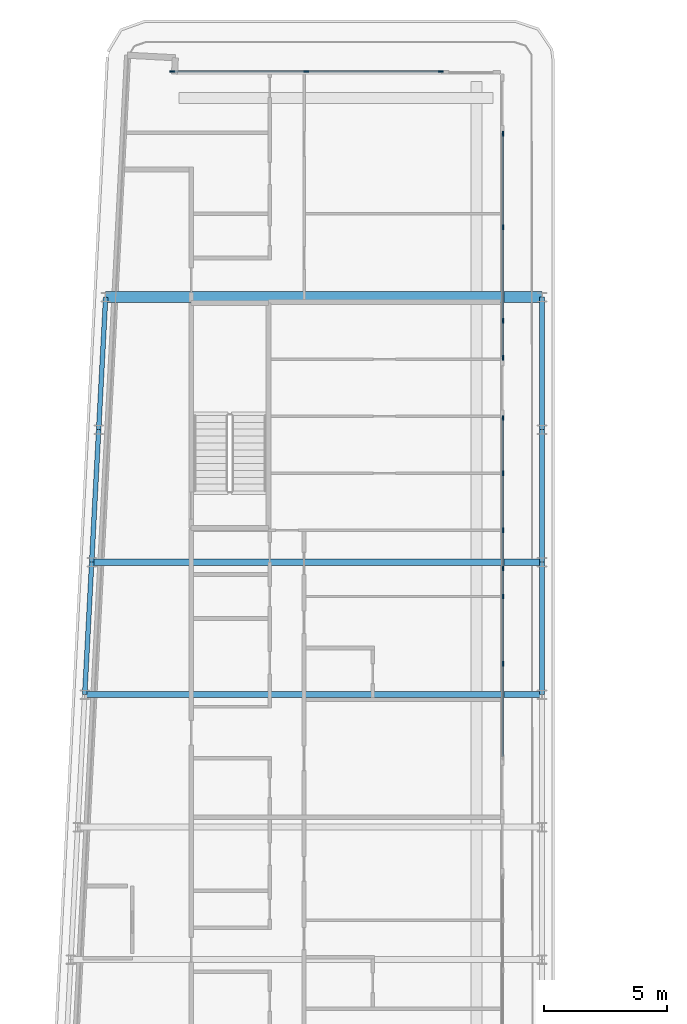
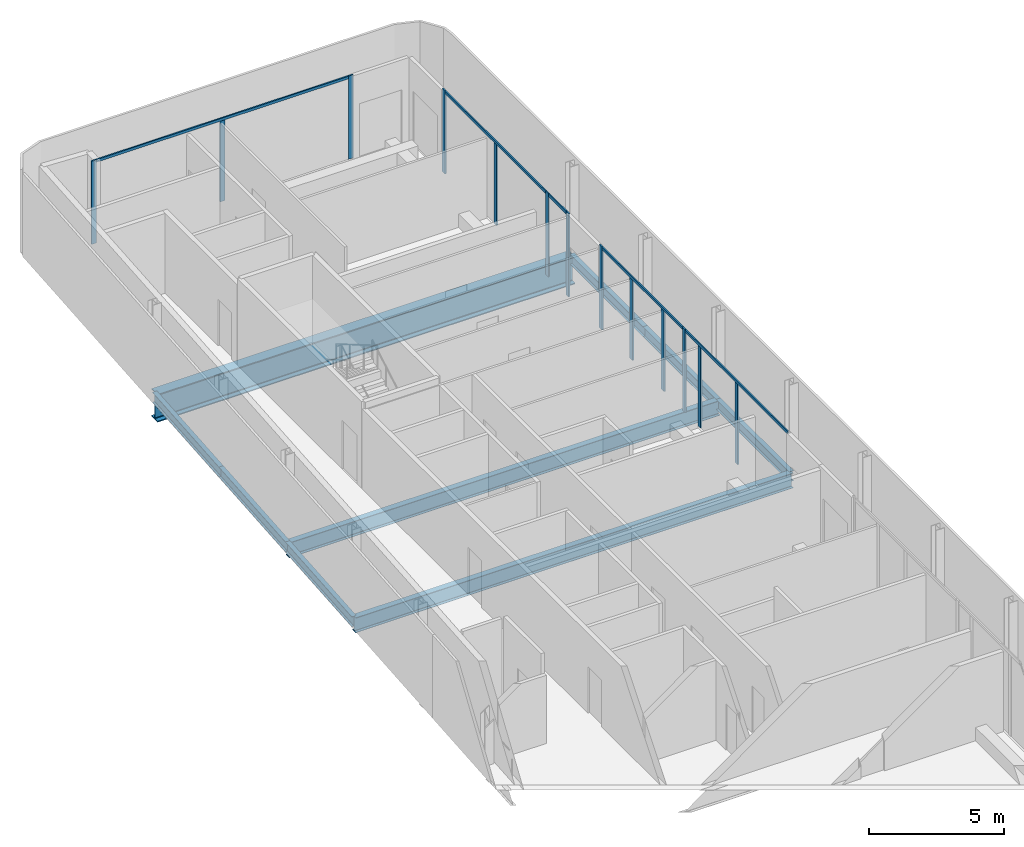
# One storey, part 6 of 18: 18 members, 9 beams, 5 elements without a shape of their own.
"""IFC4 building model written with IfcOpenShell, lengths in metres."""

from ifc_helpers import new_model, si_unit, direction, frame, origin, origin_2d, place, context, subcontext, project, spatial, rectangle, i_section, extrude, material, layer, layer_set, material_profile, profile_set, type_object, element, aggregate, save


model = new_model("IFC4")

# Units and contexts
model_context = context("Model", 3, precision=1e-05, world=origin(), true_north=direction((0.0, 1.0)))
body_context = subcontext(model_context, "Body", "Model", "MODEL_VIEW")
ifc_project = project(units=[si_unit("LENGTHUNIT", "METRE"), si_unit("AREAUNIT", "SQUARE_METRE"), si_unit("VOLUMEUNIT", "CUBIC_METRE"), si_unit("PLANEANGLEUNIT", "RADIAN"), si_unit("MASSUNIT", "GRAM", prefix="KILO")], contexts=[model_context])

# Site, building, storey
site_placement = place(None, origin())
site = spatial("IfcSite", under=ifc_project, at=site_placement, CompositionType="ELEMENT")
building_placement = place(site_placement, origin())
building = spatial("IfcBuilding", under=site, at=building_placement, Name="Kheshtan School and Residences Tower", CompositionType="ELEMENT")
storey_placement = place(building_placement, frame((0.0, 0.0, 369.5)))
storey = spatial("IfcBuildingStorey", under=building, at=storey_placement, Name="L87", CompositionType="ELEMENT", Elevation=369.5)

# Beams
ifc_material_1 = material(Name="Steel ASTM A992 Grade 50", Category="steel")
ifc_material_profile_1 = material_profile(ifc_material_1, i_section(OverallWidth=0.2529296875, OverallDepth=0.677978515625, WebThickness=0.01171875, FlangeThickness=0.016357421875, FilletRadius=0.0146484375, at=origin_2d()), Name="W690x125")
ifc_profile_set_1 = profile_set([ifc_material_profile_1], Name="Steel ASTM A992 Grade 50")
beam_type_1 = type_object("IfcBeamType", Name="Beam FB6 W690x125 ASTM A992 Grade 50", PredefinedType="BEAM", material=ifc_profile_set_1)
beam_1_placement = place(storey_placement, frame((47.60009765625, 78.0, -0.489013671875), z_axis=(-1.0, 0.0, 0.0), x_axis=(0.0, -1.0, 0.0)))
element("IfcBeam", 1, at=beam_1_placement, inside=storey, type_object=beam_type_1, Name="Floor beam C089", PredefinedType="BEAM", context=body_context, shape_type="SweptSolid", body=[
    extrude(i_section(OverallWidth=0.2529296875, OverallDepth=0.677978515625, WebThickness=0.01171875, FlangeThickness=0.016357421875, FilletRadius=0.0146484375, at=origin_2d()), origin(), (0.0, 0.0, 1.0), 18.357177734375),
])
beam_2_placement = place(storey_placement, frame((28.9580078125, 72.60009765625, -0.489013671875), z_axis=(1.0, 0.0, 0.0), x_axis=(0.0, 1.0, 0.0)))
element("IfcBeam", 2, at=beam_2_placement, inside=storey, type_object=beam_type_1, Name="Floor beam C086", PredefinedType="BEAM", context=body_context, shape_type="SweptSolid", body=[
    extrude(i_section(OverallWidth=0.2529296875, OverallDepth=0.677978515625, WebThickness=0.01171875, FlangeThickness=0.016357421875, FilletRadius=0.0146484375, at=origin_2d()), origin(), (0.0, 0.0, 1.0), 18.64208984375),
])
ifc_material_profile_2 = material_profile(ifc_material_1, i_section(OverallWidth=0.18994140625, OverallDepth=0.45703125, WebThickness=0.009033203125, FlangeThickness=0.014404296875, FilletRadius=0.01318359375, at=origin_2d()), Name="W460x74")
ifc_profile_set_2 = profile_set([ifc_material_profile_2], Name="Steel ASTM A992 Grade 50")
beam_type_2 = type_object("IfcBeamType", Name="Beam SP4 W460x74 ASTM A992 Grade 50", PredefinedType="BEAM", material=ifc_profile_set_2)
beam_3_placement = place(storey_placement, frame((47.60009765625, 88.800048828125, -0.37841796875), z_axis=(0.0, -1.0, 0.0), x_axis=(1.0, 0.0, 0.0)))
element("IfcBeam", 3, at=beam_3_placement, inside=storey, type_object=beam_type_2, Name="Spandrel beam C099-C091", PredefinedType="BEAM", context=body_context, shape_type="SweptSolid", body=[
    extrude(i_section(OverallWidth=0.18994140625, OverallDepth=0.45703125, WebThickness=0.009033203125, FlangeThickness=0.014404296875, FilletRadius=0.01318359375, at=origin_2d()), origin(), (0.0, 0.0, 1.0), 5.400146484375),
])
for number, where, z_axis, x_axis, name in (
    (4, (47.60009765625, 83.39990234375, -0.37841796875), (0.0, -1.0, 0.0), (1.0, 0.0, 0.0), "Spandrel beam C091-C089"),
    (5, (47.60009765625, 78.0, -0.37841796875), (0.0, -1.0, 0.0), (1.0, 0.0, 0.0), "Spandrel beam C089-C087"),
):
    element("IfcBeam", number, at=place(storey_placement, frame(where, z_axis=z_axis, x_axis=x_axis)), inside=storey, type_object=beam_type_2, Name=name, PredefinedType="BEAM", context=body_context, shape_type="SweptSolid", body=[
        extrude(i_section(OverallWidth=0.18994140625, OverallDepth=0.45703125, WebThickness=0.009033203125, FlangeThickness=0.014404296875, FilletRadius=0.01318359375, at=origin_2d()), origin(), (0.0, 0.0, 1.0), 5.39990234375),
    ])
for number, where, z_axis, x_axis, name in (
    (6, (28.9580078125, 72.60009765625, -0.37841796875), (0.052689166816, 0.998610961136, 0.0), (-0.998610961136, 0.052689166816, 0.0), "Spandrel beam C086-C088"),
    (7, (29.242919921875, 78.0, -0.37841796875), (0.052554093665, 0.998618078766, 0.0), (-0.998618078766, 0.052554093665, 0.0), "Spandrel beam C088-C090"),
):
    element("IfcBeam", number, at=place(storey_placement, frame(where, z_axis=z_axis, x_axis=x_axis)), inside=storey, type_object=beam_type_2, Name=name, PredefinedType="BEAM", context=body_context, shape_type="SweptSolid", body=[
        extrude(i_section(OverallWidth=0.18994140625, OverallDepth=0.45703125, WebThickness=0.009033203125, FlangeThickness=0.014404296875, FilletRadius=0.01318359375, at=origin_2d()), origin(), (0.0, 0.0, 1.0), 5.407470703125),
    ])
beam_4_placement = place(storey_placement, frame((29.527099609375, 83.39990234375, -0.37841796875), z_axis=(0.05250670125, 0.998620571751, 0.0), x_axis=(-0.998620571751, 0.05250670125, 0.0)))
element("IfcBeam", 8, at=beam_4_placement, inside=storey, type_object=beam_type_2, Name="Spandrel beam C090-C098", PredefinedType="BEAM", context=body_context, shape_type="SweptSolid", body=[
    extrude(i_section(OverallWidth=0.18994140625, OverallDepth=0.45703125, WebThickness=0.009033203125, FlangeThickness=0.014404296875, FilletRadius=0.01318359375, at=origin_2d()), origin(), (0.0, 0.0, 1.0), 5.40771484375),
])

# Curtain wall, members
ifc_material_2 = material(Name="Clear low-e glass in thermally broken aluminium frame", Category="aluminium")
ifc_layer = layer(ifc_material_2, 0.199951171875)
ifc_layer_set = layer_set([ifc_layer], Name="Curtain wall CW-L")
curtain_wall_type = type_object("IfcCurtainWallType", Name="Curtain wall CW-L", PredefinedType="NOTDEFINED", material=ifc_layer_set)
curtain_wall_1_placement = place(storey_placement, origin())
curtain_wall_1 = element("IfcCurtainWall", 9, at=curtain_wall_1_placement, inside=storey, type_object=curtain_wall_type, Name="Curtain wall CWL7", PredefinedType="NOTDEFINED")
ifc_material_3 = material(Name="Thermally broken aluminium, dark bronze anodised", Category="aluminium")
ifc_material_profile_3 = material_profile(ifc_material_3, rectangle(XDim=0.06005859375, YDim=0.199951171875, at=origin_2d()), Name="CW-L mullion 60x200")
ifc_profile_set_3 = profile_set([ifc_material_profile_3], Name="Thermally broken aluminium, dark bronze anodised")
member_type_1 = type_object("IfcMemberType", Name="CW-L mullion 60x200", PredefinedType="MULLION", material=ifc_profile_set_3)
member_1_placement = place(storey_placement, frame((32.52197265625, 98.0, 0.0), z_axis=(0.0, 0.0, 1.0), x_axis=(0.0, 1.0, 0.0)))
member_1 = element("IfcMember", 10, at=member_1_placement, type_object=member_type_1, Name="CWL7 mullion 1", PredefinedType="MULLION", context=body_context, shape_type="SweptSolid", body=[
    extrude(rectangle(XDim=0.06005859375, YDim=0.199951171875, at=origin_2d()), origin(), (0.0, 0.0, 1.0), 3.75),
])
member_2_placement = place(storey_placement, frame((37.99609375, 98.0, 0.0), z_axis=(0.0, 0.0, 1.0), x_axis=(0.0, 1.0, 0.0)))
member_2 = element("IfcMember", 11, at=member_2_placement, type_object=member_type_1, Name="CWL7 mullion 2", PredefinedType="MULLION", context=body_context, shape_type="SweptSolid", body=[
    extrude(rectangle(XDim=0.06005859375, YDim=0.199951171875, at=origin_2d()), origin(), (0.0, 0.0, 1.0), 3.6298828125),
])
member_3_placement = place(storey_placement, frame((43.469970703125, 98.0, 0.0), z_axis=(0.0, 0.0, 1.0), x_axis=(0.0, 1.0, 0.0)))
member_3 = element("IfcMember", 12, at=member_3_placement, type_object=member_type_1, Name="CWL7 mullion 3", PredefinedType="MULLION", context=body_context, shape_type="SweptSolid", body=[
    extrude(rectangle(XDim=0.06005859375, YDim=0.199951171875, at=origin_2d()), origin(), (0.0, 0.0, 1.0), 3.75),
])

curtain_wall_2_placement = place(storey_placement, origin())
curtain_wall_2 = element("IfcCurtainWall", 13, at=curtain_wall_2_placement, inside=storey, type_object=curtain_wall_type, Name="Curtain wall CWL8", PredefinedType="NOTDEFINED")
member_4_placement = place(storey_placement, frame((46.0, 95.469970703125, 0.0), z_axis=(0.0, 0.0, 1.0), x_axis=(1.0, 0.0, 0.0)))
member_4 = element("IfcMember", 14, at=member_4_placement, type_object=member_type_1, Name="CWL8 mullion 1", PredefinedType="MULLION", context=body_context, shape_type="SweptSolid", body=[
    extrude(rectangle(XDim=0.06005859375, YDim=0.199951171875, at=origin_2d()), origin(), (0.0, 0.0, 1.0), 3.75),
])
member_5_placement = place(storey_placement, frame((46.0, 91.653076171875, 0.0), z_axis=(0.0, 0.0, 1.0), x_axis=(1.0, 0.0, 0.0)))
member_5 = element("IfcMember", 15, at=member_5_placement, type_object=member_type_1, Name="CWL8 mullion 2", PredefinedType="MULLION", context=body_context, shape_type="SweptSolid", body=[
    extrude(rectangle(XDim=0.06005859375, YDim=0.199951171875, at=origin_2d()), origin(), (0.0, 0.0, 1.0), 3.6298828125),
])
member_6_placement = place(storey_placement, frame((46.0, 87.8359375, 0.0), z_axis=(0.0, 0.0, 1.0), x_axis=(1.0, 0.0, 0.0)))
member_6 = element("IfcMember", 16, at=member_6_placement, type_object=member_type_1, Name="CWL8 mullion 3", PredefinedType="MULLION", context=body_context, shape_type="SweptSolid", body=[
    extrude(rectangle(XDim=0.06005859375, YDim=0.199951171875, at=origin_2d()), origin(), (0.0, 0.0, 1.0), 3.75),
])

# Curtain wall, member
curtain_wall_3_placement = place(storey_placement, origin())
curtain_wall_3 = element("IfcCurtainWall", 17, at=curtain_wall_3_placement, inside=storey, type_object=curtain_wall_type, Name="Curtain wall CWL8a", PredefinedType="NOTDEFINED")
member_7_placement = place(storey_placement, frame((46.0, 86.3359375, 0.0), z_axis=(0.0, 0.0, 1.0), x_axis=(1.0, 0.0, 0.0)))
member_7 = element("IfcMember", 18, at=member_7_placement, type_object=member_type_1, Name="CWL8a mullion 2", PredefinedType="MULLION", context=body_context, shape_type="SweptSolid", body=[
    extrude(rectangle(XDim=0.06005859375, YDim=0.199951171875, at=origin_2d()), origin(), (0.0, 0.0, 1.0), 3.75),
])

# Curtain wall, members
curtain_wall_4_placement = place(storey_placement, origin())
curtain_wall_4 = element("IfcCurtainWall", 19, at=curtain_wall_4_placement, inside=storey, type_object=curtain_wall_type, Name="Curtain wall CWL8b", PredefinedType="NOTDEFINED")
member_8_placement = place(storey_placement, frame((46.0, 83.8759765625, 0.0), z_axis=(0.0, 0.0, 1.0), x_axis=(1.0, 0.0, 0.0)))
member_8 = element("IfcMember", 20, at=member_8_placement, type_object=member_type_1, Name="CWL8b mullion 1", PredefinedType="MULLION", context=body_context, shape_type="SweptSolid", body=[
    extrude(rectangle(XDim=0.06005859375, YDim=0.199951171875, at=origin_2d()), origin(), (0.0, 0.0, 1.0), 3.75),
])
member_9_placement = place(storey_placement, frame((46.0, 81.625, 0.0), z_axis=(0.0, 0.0, 1.0), x_axis=(1.0, 0.0, 0.0)))
member_9 = element("IfcMember", 21, at=member_9_placement, type_object=member_type_1, Name="CWL8b mullion 2", PredefinedType="MULLION", context=body_context, shape_type="SweptSolid", body=[
    extrude(rectangle(XDim=0.06005859375, YDim=0.199951171875, at=origin_2d()), origin(), (0.0, 0.0, 1.0), 3.6298828125),
])
member_10_placement = place(storey_placement, frame((46.0, 79.300048828125, 0.0), z_axis=(0.0, 0.0, 1.0), x_axis=(1.0, 0.0, 0.0)))
member_10 = element("IfcMember", 22, at=member_10_placement, type_object=member_type_1, Name="CWL8b mullion 3", PredefinedType="MULLION", context=body_context, shape_type="SweptSolid", body=[
    extrude(rectangle(XDim=0.06005859375, YDim=0.199951171875, at=origin_2d()), origin(), (0.0, 0.0, 1.0), 3.6298828125),
])
member_11_placement = place(storey_placement, frame((46.0, 77.741943359375, 0.0), z_axis=(0.0, 0.0, 1.0), x_axis=(1.0, 0.0, 0.0)))
member_11 = element("IfcMember", 23, at=member_11_placement, type_object=member_type_1, Name="CWL8b mullion 4", PredefinedType="MULLION", context=body_context, shape_type="SweptSolid", body=[
    extrude(rectangle(XDim=0.06005859375, YDim=0.199951171875, at=origin_2d()), origin(), (0.0, 0.0, 1.0), 3.75),
])

curtain_wall_5_placement = place(storey_placement, origin())
curtain_wall_5 = element("IfcCurtainWall", 24, at=curtain_wall_5_placement, inside=storey, type_object=curtain_wall_type, Name="Curtain wall CWL8c", PredefinedType="NOTDEFINED")
member_12_placement = place(storey_placement, frame((46.0, 76.60009765625, 0.0), z_axis=(0.0, 0.0, 1.0), x_axis=(1.0, 0.0, 0.0)))
member_12 = element("IfcMember", 25, at=member_12_placement, type_object=member_type_1, Name="CWL8c mullion 2", PredefinedType="MULLION", context=body_context, shape_type="SweptSolid", body=[
    extrude(rectangle(XDim=0.06005859375, YDim=0.199951171875, at=origin_2d()), origin(), (0.0, 0.0, 1.0), 3.6298828125),
])
member_13_placement = place(storey_placement, frame((46.0, 73.864990234375, 0.0), z_axis=(0.0, 0.0, 1.0), x_axis=(1.0, 0.0, 0.0)))
member_13 = element("IfcMember", 26, at=member_13_placement, type_object=member_type_1, Name="CWL8c mullion 3", PredefinedType="MULLION", context=body_context, shape_type="SweptSolid", body=[
    extrude(rectangle(XDim=0.06005859375, YDim=0.199951171875, at=origin_2d()), origin(), (0.0, 0.0, 1.0), 3.6298828125),
])

# Member
ifc_material_profile_4 = material_profile(ifc_material_3, rectangle(XDim=0.06005859375, YDim=0.1201171875, at=origin_2d()), Name="CW-L transom 60x120")
ifc_profile_set_4 = profile_set([ifc_material_profile_4], Name="Thermally broken aluminium, dark bronze anodised")
member_type_2 = type_object("IfcMemberType", Name="CW-L transom 60x120", PredefinedType="USERDEFINED", material=ifc_profile_set_4)
member_14_placement = place(storey_placement, frame((32.552001953125, 98.0, 3.68994140625), z_axis=(1.0, 0.0, 0.0), x_axis=(0.0, 1.0, 0.0)))
member_14 = element("IfcMember", 27, at=member_14_placement, type_object=member_type_2, Name="CWL7 transom 1", ObjectType="TRANSOM", PredefinedType="USERDEFINED", context=body_context, shape_type="SweptSolid", body=[
    extrude(rectangle(XDim=0.06005859375, YDim=0.1201171875, at=origin_2d()), origin(), (0.0, 0.0, 1.0), 10.887939453125),
])

aggregate(curtain_wall_1, [member_1, member_2, member_3, member_14])

member_15_placement = place(storey_placement, frame((46.0, 95.43994140625, 3.68994140625), z_axis=(0.0, -1.0, 0.0), x_axis=(1.0, 0.0, 0.0)))
member_15 = element("IfcMember", 28, at=member_15_placement, type_object=member_type_2, Name="CWL8 transom 1", ObjectType="TRANSOM", PredefinedType="USERDEFINED", context=body_context, shape_type="SweptSolid", body=[
    extrude(rectangle(XDim=0.06005859375, YDim=0.1201171875, at=origin_2d()), origin(), (0.0, 0.0, 1.0), 7.573974609375),
])

aggregate(curtain_wall_2, [member_4, member_5, member_6, member_15])

member_16_placement = place(storey_placement, frame((46.0, 87.805908203125, 3.68994140625), z_axis=(0.0, -1.0, 0.0), x_axis=(1.0, 0.0, 0.0)))
member_16 = element("IfcMember", 29, at=member_16_placement, type_object=member_type_2, Name="CWL8a transom 1", ObjectType="TRANSOM", PredefinedType="USERDEFINED", context=body_context, shape_type="SweptSolid", body=[
    extrude(rectangle(XDim=0.06005859375, YDim=0.1201171875, at=origin_2d()), origin(), (0.0, 0.0, 1.0), 1.43994140625),
])

aggregate(curtain_wall_3, [member_7, member_16])

member_17_placement = place(storey_placement, frame((46.0, 83.845947265625, 3.68994140625), z_axis=(0.0, -1.0, 0.0), x_axis=(1.0, 0.0, 0.0)))
member_17 = element("IfcMember", 30, at=member_17_placement, type_object=member_type_2, Name="CWL8b transom 1", ObjectType="TRANSOM", PredefinedType="USERDEFINED", context=body_context, shape_type="SweptSolid", body=[
    extrude(rectangle(XDim=0.06005859375, YDim=0.1201171875, at=origin_2d()), origin(), (0.0, 0.0, 1.0), 6.073974609375),
])

aggregate(curtain_wall_4, [member_8, member_9, member_10, member_11, member_17])

member_18_placement = place(storey_placement, frame((46.0, 77.7119140625, 3.68994140625), z_axis=(0.0, -1.0, 0.0), x_axis=(1.0, 0.0, 0.0)))
member_18 = element("IfcMember", 31, at=member_18_placement, type_object=member_type_2, Name="CWL8c transom 1", ObjectType="TRANSOM", PredefinedType="USERDEFINED", context=body_context, shape_type="SweptSolid", body=[
    extrude(rectangle(XDim=0.06005859375, YDim=0.1201171875, at=origin_2d()), origin(), (0.0, 0.0, 1.0), 7.634033203125),
])

aggregate(curtain_wall_5, [member_12, member_13, member_18])

# Beam
ifc_material_profile_5 = material_profile(ifc_material_1, i_section(OverallWidth=0.449951171875, OverallDepth=1.25, WebThickness=0.02490234375, FlangeThickness=0.044921875, FilletRadius=0.03759765625, at=origin_2d()), Name="WWF1250x546")
ifc_profile_set_5 = profile_set([ifc_material_profile_5], Name="Steel ASTM A992 Grade 50")
beam_type_3 = type_object("IfcBeamType", Name="Transfer girder TG4 WWF1250x546 ASTM A992 Grade 50", PredefinedType="BEAM", material=ifc_profile_set_5)
beam_5_placement = place(storey_placement, frame((29.81103515625, 88.800048828125, -0.77490234375), z_axis=(1.0, 0.0, 0.0), x_axis=(0.0, 1.0, 0.0)))
element("IfcBeam", 32, at=beam_5_placement, inside=storey, type_object=beam_type_3, Name="Transfer girder C098-C099", PredefinedType="BEAM", context=body_context, shape_type="SweptSolid", body=[
    extrude(i_section(OverallWidth=0.449951171875, OverallDepth=1.25, WebThickness=0.02490234375, FlangeThickness=0.044921875, FilletRadius=0.03759765625, at=origin_2d()), origin(), (0.0, 0.0, 1.0), 17.7890625),
])

save(model, "model.ifc")
